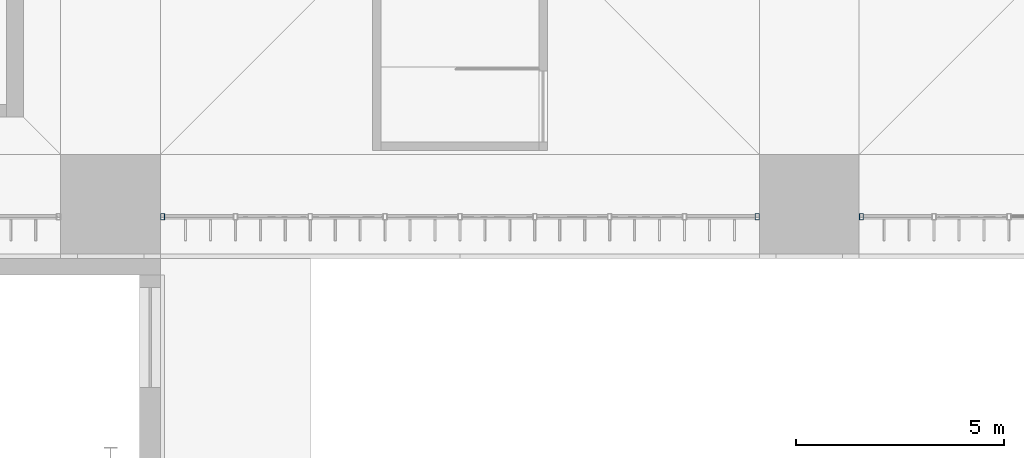
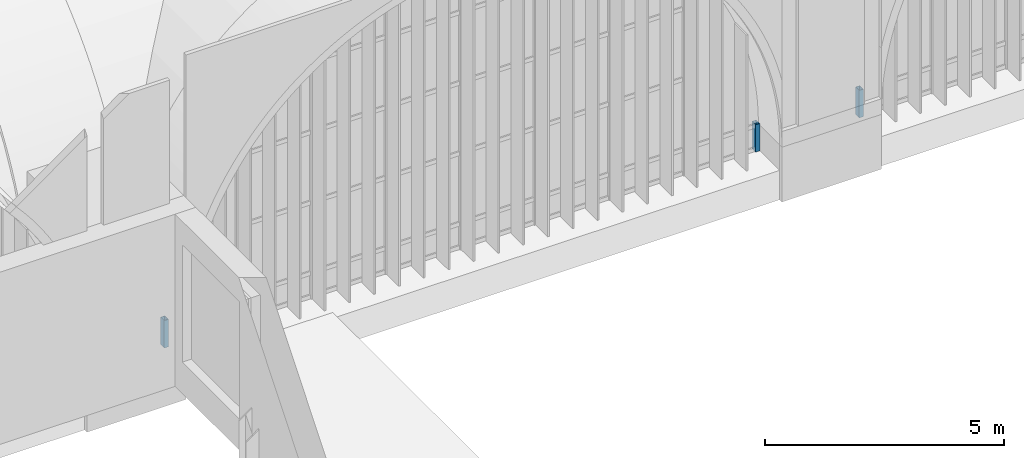
# One storey, part 67 of 169: 3 members, 2 elements without a shape of their own.
"""IFC4 building model written with IfcOpenShell, lengths in metres."""

import ifcopenshell
import ifcopenshell.guid

model = None  # the IFC model being written
_history = None  # IfcOwnerHistory: only IFC2X3 demands one
_inside = {}  # id of a spatial element -> (the spatial element, [elements in it])
_under = {}  # id of a project, library or spatial element -> (it, [spatial elements below it])
_declared = {}  # id of a project -> (the project, [libraries it declares])
_typed = {}  # id of a type object -> (the type object, [elements of that type])
_made_of = {}  # id of a material, layer set ... -> (it, [elements and type objects made of it])


def new_model(schema):
    """Start an empty IFC model of exactly this schema.

    Asked for "IFC4X3", IfcOpenShell would pick the latest addendum, in which some entities
    have other attributes; the version numbers below select the first issue.
    IFC2X3 requires an IfcOwnerHistory on every rooted entity: one is made here for all.
    """
    global model, _history
    if schema == "IFC4X3":
        model = ifcopenshell.file(schema_version=(4, 3, 0, 0))
    else:
        model = ifcopenshell.file(schema=schema)
    _inside.clear()
    _under.clear()
    _declared.clear()
    _typed.clear()
    _made_of.clear()
    _history = None
    if model.schema == "IFC2X3":
        org = make("IfcOrganization", Name="unknown")
        user = make(
            "IfcPersonAndOrganization",
            ThePerson=make("IfcPerson", FamilyName="unknown"),
            TheOrganization=org,
        )
        app = make(
            "IfcApplication",
            ApplicationDeveloper=org,
            Version="unknown",
            ApplicationFullName="unknown",
            ApplicationIdentifier="unknown",
        )
        _history = make(
            "IfcOwnerHistory",
            OwningUser=user,
            OwningApplication=app,
            ChangeAction="ADDED",
            CreationDate=0,
        )
    return model


def make(cls, **values):
    """One entity of the class cls with the attributes given. An attribute that is None is left unset."""
    return model.create_entity(
        cls, **{name: value for name, value in values.items() if value is not None}
    )


def rooted(cls, **values):
    """An entity with a GlobalId (a new one), such as an element, a storey or a relation."""
    return make(cls, GlobalId=ifcopenshell.guid.new(), OwnerHistory=_history, **values)


def si_unit(unit_type, name, prefix=None):
    """IfcSIUnit, for example si_unit("LENGTHUNIT", "METRE", prefix="MILLI")."""
    return make("IfcSIUnit", UnitType=unit_type, Prefix=prefix, Name=name)


def assignment(units):
    """IfcUnitAssignment: the units of a project."""
    return None if units is None else make("IfcUnitAssignment", Units=units)


def point(xyz):
    """IfcCartesianPoint."""
    return None if xyz is None else make("IfcCartesianPoint", Coordinates=xyz)


def direction(xyz):
    """IfcDirection."""
    return None if xyz is None else make("IfcDirection", DirectionRatios=xyz)


def frame(location, z_axis=None, x_axis=None):
    """IfcAxis2Placement3D, a coordinate frame: its origin and axes. An axis left out is left unset."""
    return make(
        "IfcAxis2Placement3D",
        Location=point(location),
        Axis=direction(z_axis),
        RefDirection=direction(x_axis),
    )


def frame_2d(location, x_axis=None):
    """IfcAxis2Placement2D, a coordinate frame in the plane: its origin and x axis."""
    return make(
        "IfcAxis2Placement2D", Location=point(location), RefDirection=direction(x_axis)
    )


def origin():
    """The frame at (0, 0, 0) with its axes left unset."""
    return frame((0.0, 0.0, 0.0))


def origin_2d():
    """The frame at (0, 0) in the plane with its x axis left unset."""
    return frame_2d((0.0, 0.0))


def place(relative_to, where):
    """IfcLocalPlacement: puts the frame where relative to a parent placement (None: the world)."""
    return make(
        "IfcLocalPlacement", PlacementRelTo=relative_to, RelativePlacement=where
    )


def context(
    kind, dimensions, precision=None, world=None, true_north=None, identifier=None
):
    """IfcGeometricRepresentationContext, for example the 3D "Model" context."""
    return make(
        "IfcGeometricRepresentationContext",
        ContextIdentifier=identifier,
        ContextType=kind,
        CoordinateSpaceDimension=dimensions,
        Precision=precision,
        WorldCoordinateSystem=world,
        TrueNorth=true_north,
    )


def subcontext(parent, identifier, kind, view, scale=None):
    """IfcGeometricRepresentationSubContext, for example "Body" below "Model"."""
    return make(
        "IfcGeometricRepresentationSubContext",
        ContextIdentifier=identifier,
        ContextType=kind,
        ParentContext=parent,
        TargetScale=scale,
        TargetView=view,
    )


def project(units=None, contexts=None):
    """IfcProject with its units and contexts."""
    return rooted(
        "IfcProject",
        Name="project",
        RepresentationContexts=contexts,
        UnitsInContext=assignment(units),
    )


def spatial(cls, under=None, at=None, **own):
    """A site, building, storey or space (cls), placed at a placement, below another one or the project."""
    s = rooted(cls, ObjectPlacement=at, **own)
    if under is not None:
        _under.setdefault(under.id(), (under, []))[1].append(s)
    return s


def profile(cls, at=None, kind="AREA", **sizes):
    """A parametric profile (cls). Its sizes go by their IFC names, for example OverallWidth=200.0."""
    return make(cls, ProfileType=kind, Position=at, **sizes)


def hollow_rectangle(**sizes):
    """IfcRectangleHollowProfileDef."""
    return profile("IfcRectangleHollowProfileDef", **sizes)


def extrude(swept, where, along, depth):
    """IfcExtrudedAreaSolid: the profile swept, set in the frame where, extruded along a direction by depth."""
    return make(
        "IfcExtrudedAreaSolid",
        SweptArea=swept,
        Position=where,
        ExtrudedDirection=direction(along),
        Depth=depth,
    )


def shape(context_of_items, identifier, shape_type, items):
    """IfcShapeRepresentation: the items that make up one representation, for example the "Body"."""
    return make(
        "IfcShapeRepresentation",
        ContextOfItems=context_of_items,
        RepresentationIdentifier=identifier,
        RepresentationType=shape_type,
        Items=items,
    )


def material(Name=None, Category=None):
    """IfcMaterial."""
    return make("IfcMaterial", Name=Name, Category=Category)


def layer(
    of_material, thickness, ventilated=None, Name=None, Category=None, Priority=None
):
    """IfcMaterialLayer: one layer of a wall or slab, of a material (None: an air gap)."""
    return make(
        "IfcMaterialLayer",
        Material=of_material,
        LayerThickness=thickness,
        IsVentilated=ventilated,
        Name=Name,
        Category=Category,
        Priority=Priority,
    )


def layer_set(layers, Name=None):
    """IfcMaterialLayerSet."""
    return make("IfcMaterialLayerSet", MaterialLayers=layers, LayerSetName=Name)


def material_profile(
    of_material, cross_section, Name=None, Category=None, Priority=None
):
    """IfcMaterialProfile: a cross section and its material."""
    return make(
        "IfcMaterialProfile",
        Name=Name,
        Material=of_material,
        Profile=cross_section,
        Priority=Priority,
        Category=Category,
    )


def profile_set(profiles, Name=None, composite=None):
    """IfcMaterialProfileSet."""
    return make(
        "IfcMaterialProfileSet",
        Name=Name,
        MaterialProfiles=profiles,
        CompositeProfile=composite,
    )


def made_of(thing, what):
    """Note that an element or type object is made of a material, layer set ...; save() writes the relation."""
    if what is not None:
        _made_of.setdefault(what.id(), (what, []))[1].append(thing)
    return thing


def type_object(cls, material=None, **own):
    """A type object (cls), such as IfcWallType, which elements share."""
    return made_of(rooted(cls, **own), material)


def element(
    cls,
    number,
    at=None,
    inside=None,
    cuts=None,
    type_object=None,
    material=None,
    context=None,
    identifier="Body",
    shape_type=None,
    held_by="IfcProductDefinitionShape",
    body=None,
    shapes=None,
    **own,
):
    """One element of the class cls, such as IfcWall. Its Tag is "e" and its number.

    at: its placement. inside: the storey or other place that contains it. cuts: it is an
    opening in that element (IfcRelVoidsElement). A single representation is given by context,
    identifier, shape_type and body (its items); several are given by shapes. held_by: the class
    of the entity that holds the representations. save() writes the other relations.
    """
    e = rooted(cls, Tag="e%d" % number, ObjectPlacement=at, **own)
    if body is not None:
        shapes = [shape(context, identifier, shape_type, body)]
    if shapes is not None:
        e.Representation = make(held_by, Representations=shapes)
    if inside is not None:
        _inside.setdefault(inside.id(), (inside, []))[1].append(e)
    if cuts is not None:
        rooted(
            "IfcRelVoidsElement", RelatingBuildingElement=cuts, RelatedOpeningElement=e
        )
    if type_object is not None:
        _typed.setdefault(type_object.id(), (type_object, []))[1].append(e)
    return made_of(e, material)


def aggregate(whole, parts):
    """IfcRelAggregates: a whole, such as a stair, and the parts it consists of."""
    return rooted("IfcRelAggregates", RelatingObject=whole, RelatedObjects=parts)


def save(model, path):
    """Write the relations noted so far, then the file.

    IfcRelAggregates (storeys below a building ...), IfcRelContainedInSpatialStructure (elements
    in a storey), IfcRelDefinesByType, IfcRelAssociatesMaterial and IfcRelDeclares: one each for
    every whole, place, type object, material and project.
    """
    for whole, parts in _under.values():
        aggregate(whole, parts)
    for where, things in _inside.values():
        rooted(
            "IfcRelContainedInSpatialStructure",
            RelatedElements=things,
            RelatingStructure=where,
        )
    for kind, things in _typed.values():
        rooted("IfcRelDefinesByType", RelatedObjects=things, RelatingType=kind)
    for what, things in _made_of.values():
        rooted("IfcRelAssociatesMaterial", RelatedObjects=things, RelatingMaterial=what)
    for by, libraries in _declared.values():
        rooted("IfcRelDeclares", RelatingContext=by, RelatedDefinitions=libraries)
    model.write(path)


model = new_model("IFC4")

# Units and contexts
model_context = context("Model", 3, precision=1e-05, world=origin(), true_north=direction((0.0, 1.0)))
body_context = subcontext(model_context, "Body", "Model", "MODEL_VIEW")
ifc_project = project(units=[si_unit("LENGTHUNIT", "METRE"), si_unit("AREAUNIT", "SQUARE_METRE"), si_unit("VOLUMEUNIT", "CUBIC_METRE"), si_unit("PLANEANGLEUNIT", "RADIAN"), si_unit("MASSUNIT", "GRAM", prefix="KILO")], contexts=[model_context])

# Site, building, storey
site_placement = place(None, origin())
site = spatial("IfcSite", under=ifc_project, at=site_placement, CompositionType="ELEMENT")
building_placement = place(site_placement, origin())
building = spatial("IfcBuilding", under=site, at=building_placement, Name="Verrick Yard Athletic Hall", CompositionType="ELEMENT")
storey_placement = place(building_placement, frame((0.0, 0.0, 4.39990234375)))
storey = spatial("IfcBuildingStorey", under=building, at=storey_placement, Name="L01", CompositionType="ELEMENT", Elevation=4.39990234375)

# Curtain wall, members
ifc_material_1 = material(Name="Aluminium and glass curtain wall", Category="aluminium")
ifc_layer = layer(ifc_material_1, 0.14990234375)
ifc_layer_set = layer_set([ifc_layer], Name="Arcade glazing arch")
curtain_wall_type = type_object("IfcCurtainWallType", Name="Arcade glazing arch", PredefinedType="NOTDEFINED", material=ifc_layer_set)
curtain_wall_1_placement = place(storey_placement, origin())
curtain_wall_1 = element("IfcCurtainWall", 1, at=curtain_wall_1_placement, inside=storey, type_object=curtain_wall_type, Name="Arcade glazing S5", PredefinedType="NOTDEFINED")
ifc_material_2 = material(Name="Structural steel HSS Class C 350W (CSA G40.20/G40.21)", Category="steel")
ifc_material_profile = material_profile(ifc_material_2, hollow_rectangle(XDim=0.1015625, YDim=0.15234375, WallThickness=0.008056640625, at=origin_2d()), Name="HSS152x102x7.9")
ifc_profile_set = profile_set([ifc_material_profile], Name="Structural steel HSS Class C 350W (CSA G40.20/G40.21)")
member_type = type_object("IfcMemberType", Name="Curtain wall mullion HSS152x102x7.9", PredefinedType="MULLION", material=ifc_profile_set)
member_1_placement = place(storey_placement, frame((108.451416015625, 18.89990234375, 0.0), z_axis=(0.0, 0.0, 1.0), x_axis=(1.0, 0.0, 0.0)))
member_1 = element("IfcMember", 2, at=member_1_placement, type_object=member_type, Name="Arcade glazing S5 mullion 1", PredefinedType="MULLION", context=body_context, shape_type="SweptSolid", body=[
    extrude(hollow_rectangle(XDim=0.1015625, YDim=0.15234375, WallThickness=0.008056640625, at=origin_2d()), origin(), (0.0, 0.0, 1.0), 0.700927734375),
])
member_2_placement = place(storey_placement, frame((122.748779296875, 18.89990234375, 0.0), z_axis=(0.0, 0.0, 1.0), x_axis=(1.0, 0.0, 0.0)))
member_2 = element("IfcMember", 3, at=member_2_placement, type_object=member_type, Name="Arcade glazing S5 mullion 9", PredefinedType="MULLION", context=body_context, shape_type="SweptSolid", body=[
    extrude(hollow_rectangle(XDim=0.1015625, YDim=0.15234375, WallThickness=0.008056640625, at=origin_2d()), origin(), (0.0, 0.0, 1.0), 0.700927734375),
])
aggregate(curtain_wall_1, [member_1, member_2])

# Curtain wall, member
curtain_wall_2_placement = place(storey_placement, origin())
curtain_wall_2 = element("IfcCurtainWall", 4, at=curtain_wall_2_placement, inside=storey, type_object=curtain_wall_type, Name="Arcade glazing S6", PredefinedType="NOTDEFINED")
member_3_placement = place(storey_placement, frame((125.251220703125, 18.89990234375, 0.0), z_axis=(0.0, 0.0, 1.0), x_axis=(1.0, 0.0, 0.0)))
member_3 = element("IfcMember", 5, at=member_3_placement, type_object=member_type, Name="Arcade glazing S6 mullion 1", PredefinedType="MULLION", context=body_context, shape_type="SweptSolid", body=[
    extrude(hollow_rectangle(XDim=0.1015625, YDim=0.15234375, WallThickness=0.008056640625, at=origin_2d()), origin(), (0.0, 0.0, 1.0), 0.700927734375),
])
aggregate(curtain_wall_2, [member_3])

save(model, "model.ifc")
